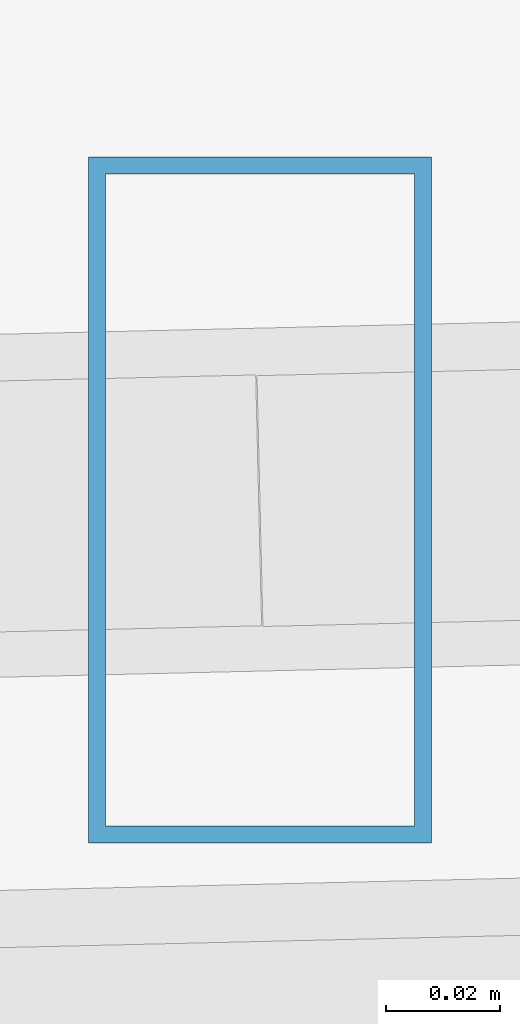
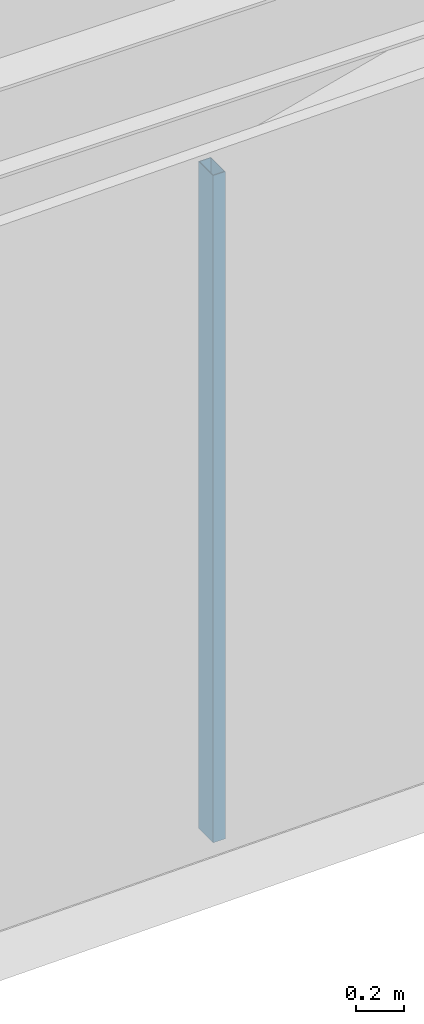
# One storey, part 13 of 46: 1 member, 1 element without a shape of its own.
"""IFC4 building model written with IfcOpenShell, lengths in metres."""

import ifcopenshell
import ifcopenshell.guid

model = None  # the IFC model being written
_history = None  # IfcOwnerHistory: only IFC2X3 demands one
_inside = {}  # id of a spatial element -> (the spatial element, [elements in it])
_under = {}  # id of a project, library or spatial element -> (it, [spatial elements below it])
_declared = {}  # id of a project -> (the project, [libraries it declares])
_typed = {}  # id of a type object -> (the type object, [elements of that type])
_made_of = {}  # id of a material, layer set ... -> (it, [elements and type objects made of it])


def new_model(schema):
    """Start an empty IFC model of exactly this schema.

    Asked for "IFC4X3", IfcOpenShell would pick the latest addendum, in which some entities
    have other attributes; the version numbers below select the first issue.
    IFC2X3 requires an IfcOwnerHistory on every rooted entity: one is made here for all.
    """
    global model, _history
    if schema == "IFC4X3":
        model = ifcopenshell.file(schema_version=(4, 3, 0, 0))
    else:
        model = ifcopenshell.file(schema=schema)
    _inside.clear()
    _under.clear()
    _declared.clear()
    _typed.clear()
    _made_of.clear()
    _history = None
    if model.schema == "IFC2X3":
        org = make("IfcOrganization", Name="unknown")
        user = make(
            "IfcPersonAndOrganization",
            ThePerson=make("IfcPerson", FamilyName="unknown"),
            TheOrganization=org,
        )
        app = make(
            "IfcApplication",
            ApplicationDeveloper=org,
            Version="unknown",
            ApplicationFullName="unknown",
            ApplicationIdentifier="unknown",
        )
        _history = make(
            "IfcOwnerHistory",
            OwningUser=user,
            OwningApplication=app,
            ChangeAction="ADDED",
            CreationDate=0,
        )
    return model


def make(cls, **values):
    """One entity of the class cls with the attributes given. An attribute that is None is left unset."""
    return model.create_entity(
        cls, **{name: value for name, value in values.items() if value is not None}
    )


def rooted(cls, **values):
    """An entity with a GlobalId (a new one), such as an element, a storey or a relation."""
    return make(cls, GlobalId=ifcopenshell.guid.new(), OwnerHistory=_history, **values)


def si_unit(unit_type, name, prefix=None):
    """IfcSIUnit, for example si_unit("LENGTHUNIT", "METRE", prefix="MILLI")."""
    return make("IfcSIUnit", UnitType=unit_type, Prefix=prefix, Name=name)


def assignment(units):
    """IfcUnitAssignment: the units of a project."""
    return None if units is None else make("IfcUnitAssignment", Units=units)


def point(xyz):
    """IfcCartesianPoint."""
    return None if xyz is None else make("IfcCartesianPoint", Coordinates=xyz)


def direction(xyz):
    """IfcDirection."""
    return None if xyz is None else make("IfcDirection", DirectionRatios=xyz)


def frame(location, z_axis=None, x_axis=None):
    """IfcAxis2Placement3D, a coordinate frame: its origin and axes. An axis left out is left unset."""
    return make(
        "IfcAxis2Placement3D",
        Location=point(location),
        Axis=direction(z_axis),
        RefDirection=direction(x_axis),
    )


def frame_2d(location, x_axis=None):
    """IfcAxis2Placement2D, a coordinate frame in the plane: its origin and x axis."""
    return make(
        "IfcAxis2Placement2D", Location=point(location), RefDirection=direction(x_axis)
    )


def origin():
    """The frame at (0, 0, 0) with its axes left unset."""
    return frame((0.0, 0.0, 0.0))


def origin_2d():
    """The frame at (0, 0) in the plane with its x axis left unset."""
    return frame_2d((0.0, 0.0))


def place(relative_to, where):
    """IfcLocalPlacement: puts the frame where relative to a parent placement (None: the world)."""
    return make(
        "IfcLocalPlacement", PlacementRelTo=relative_to, RelativePlacement=where
    )


def context(
    kind, dimensions, precision=None, world=None, true_north=None, identifier=None
):
    """IfcGeometricRepresentationContext, for example the 3D "Model" context."""
    return make(
        "IfcGeometricRepresentationContext",
        ContextIdentifier=identifier,
        ContextType=kind,
        CoordinateSpaceDimension=dimensions,
        Precision=precision,
        WorldCoordinateSystem=world,
        TrueNorth=true_north,
    )


def subcontext(parent, identifier, kind, view, scale=None):
    """IfcGeometricRepresentationSubContext, for example "Body" below "Model"."""
    return make(
        "IfcGeometricRepresentationSubContext",
        ContextIdentifier=identifier,
        ContextType=kind,
        ParentContext=parent,
        TargetScale=scale,
        TargetView=view,
    )


def project(units=None, contexts=None):
    """IfcProject with its units and contexts."""
    return rooted(
        "IfcProject",
        Name="project",
        RepresentationContexts=contexts,
        UnitsInContext=assignment(units),
    )


def spatial(cls, under=None, at=None, **own):
    """A site, building, storey or space (cls), placed at a placement, below another one or the project."""
    s = rooted(cls, ObjectPlacement=at, **own)
    if under is not None:
        _under.setdefault(under.id(), (under, []))[1].append(s)
    return s


def profile(cls, at=None, kind="AREA", **sizes):
    """A parametric profile (cls). Its sizes go by their IFC names, for example OverallWidth=200.0."""
    return make(cls, ProfileType=kind, Position=at, **sizes)


def hollow_rectangle(**sizes):
    """IfcRectangleHollowProfileDef."""
    return profile("IfcRectangleHollowProfileDef", **sizes)


def extrude(swept, where, along, depth):
    """IfcExtrudedAreaSolid: the profile swept, set in the frame where, extruded along a direction by depth."""
    return make(
        "IfcExtrudedAreaSolid",
        SweptArea=swept,
        Position=where,
        ExtrudedDirection=direction(along),
        Depth=depth,
    )


def shape(context_of_items, identifier, shape_type, items):
    """IfcShapeRepresentation: the items that make up one representation, for example the "Body"."""
    return make(
        "IfcShapeRepresentation",
        ContextOfItems=context_of_items,
        RepresentationIdentifier=identifier,
        RepresentationType=shape_type,
        Items=items,
    )


def source(mapping_origin, context_of_items, identifier, shape_type, items):
    """IfcRepresentationMap: a shape defined once, which mapped items show again and again."""
    return make(
        "IfcRepresentationMap",
        MappingOrigin=mapping_origin,
        MappedRepresentation=shape(context_of_items, identifier, shape_type, items),
    )


def transform(
    local_origin,
    x_axis=None,
    y_axis=None,
    z_axis=None,
    scale=None,
    scale2=None,
    scale3=None,
    uniform=True,
):
    """IfcCartesianTransformationOperator3D, or its non-uniform kind. x_axis, y_axis, z_axis: its Axis1, 2, 3."""
    if uniform:
        return make(
            "IfcCartesianTransformationOperator3D",
            Axis1=direction(x_axis),
            Axis2=direction(y_axis),
            LocalOrigin=point(local_origin),
            Scale=scale,
            Axis3=direction(z_axis),
        )
    return make(
        "IfcCartesianTransformationOperator3DnonUniform",
        Axis1=direction(x_axis),
        Axis2=direction(y_axis),
        LocalOrigin=point(local_origin),
        Scale=scale,
        Axis3=direction(z_axis),
        Scale2=scale2,
        Scale3=scale3,
    )


def mapped(mapping_source, mapping_target):
    """IfcMappedItem: shows the shape of a source again, moved by a transform."""
    return make(
        "IfcMappedItem", MappingSource=mapping_source, MappingTarget=mapping_target
    )


def material(Name=None, Category=None):
    """IfcMaterial."""
    return make("IfcMaterial", Name=Name, Category=Category)


def material_profile(
    of_material, cross_section, Name=None, Category=None, Priority=None
):
    """IfcMaterialProfile: a cross section and its material."""
    return make(
        "IfcMaterialProfile",
        Name=Name,
        Material=of_material,
        Profile=cross_section,
        Priority=Priority,
        Category=Category,
    )


def profile_set(profiles, Name=None, composite=None):
    """IfcMaterialProfileSet."""
    return make(
        "IfcMaterialProfileSet",
        Name=Name,
        MaterialProfiles=profiles,
        CompositeProfile=composite,
    )


def made_of(thing, what):
    """Note that an element or type object is made of a material, layer set ...; save() writes the relation."""
    if what is not None:
        _made_of.setdefault(what.id(), (what, []))[1].append(thing)
    return thing


def type_object(cls, material=None, **own):
    """A type object (cls), such as IfcWallType, which elements share."""
    return made_of(rooted(cls, **own), material)


def type_shapes(of_type, sources):
    """Give a type object the sources (RepresentationMaps) that its elements show as mapped items."""
    of_type.RepresentationMaps = sources


def element(
    cls,
    number,
    at=None,
    inside=None,
    cuts=None,
    type_object=None,
    material=None,
    context=None,
    identifier="Body",
    shape_type=None,
    held_by="IfcProductDefinitionShape",
    body=None,
    shapes=None,
    **own,
):
    """One element of the class cls, such as IfcWall. Its Tag is "e" and its number.

    at: its placement. inside: the storey or other place that contains it. cuts: it is an
    opening in that element (IfcRelVoidsElement). A single representation is given by context,
    identifier, shape_type and body (its items); several are given by shapes. held_by: the class
    of the entity that holds the representations. save() writes the other relations.
    """
    e = rooted(cls, Tag="e%d" % number, ObjectPlacement=at, **own)
    if body is not None:
        shapes = [shape(context, identifier, shape_type, body)]
    if shapes is not None:
        e.Representation = make(held_by, Representations=shapes)
    if inside is not None:
        _inside.setdefault(inside.id(), (inside, []))[1].append(e)
    if cuts is not None:
        rooted(
            "IfcRelVoidsElement", RelatingBuildingElement=cuts, RelatedOpeningElement=e
        )
    if type_object is not None:
        _typed.setdefault(type_object.id(), (type_object, []))[1].append(e)
    return made_of(e, material)


def aggregate(whole, parts):
    """IfcRelAggregates: a whole, such as a stair, and the parts it consists of."""
    return rooted("IfcRelAggregates", RelatingObject=whole, RelatedObjects=parts)


def save(model, path):
    """Write the relations noted so far, then the file.

    IfcRelAggregates (storeys below a building ...), IfcRelContainedInSpatialStructure (elements
    in a storey), IfcRelDefinesByType, IfcRelAssociatesMaterial and IfcRelDeclares: one each for
    every whole, place, type object, material and project.
    """
    for whole, parts in _under.values():
        aggregate(whole, parts)
    for where, things in _inside.values():
        rooted(
            "IfcRelContainedInSpatialStructure",
            RelatedElements=things,
            RelatingStructure=where,
        )
    for kind, things in _typed.values():
        rooted("IfcRelDefinesByType", RelatedObjects=things, RelatingType=kind)
    for what, things in _made_of.values():
        rooted("IfcRelAssociatesMaterial", RelatedObjects=things, RelatingMaterial=what)
    for by, libraries in _declared.values():
        rooted("IfcRelDeclares", RelatingContext=by, RelatedDefinitions=libraries)
    model.write(path)


model = new_model("IFC4")

# Units and contexts
model_context = context("Model", 3, precision=1e-05, world=origin(), true_north=direction((0.0, 1.0)))
body_context = subcontext(model_context, "Body", "Model", "MODEL_VIEW")
ifc_project = project(units=[si_unit("LENGTHUNIT", "METRE"), si_unit("AREAUNIT", "SQUARE_METRE"), si_unit("VOLUMEUNIT", "CUBIC_METRE"), si_unit("PLANEANGLEUNIT", "RADIAN"), si_unit("MASSUNIT", "GRAM", prefix="KILO")], contexts=[model_context])

# Site, building, storey
site_placement = place(None, origin())
site = spatial("IfcSite", under=ifc_project, at=site_placement, CompositionType="ELEMENT")
building_placement = place(site_placement, origin())
building = spatial("IfcBuilding", under=site, at=building_placement, Name="Caelisora Broadcast Tower", CompositionType="ELEMENT")
storey_placement = place(building_placement, frame((0.0, 0.0, 251.75)))
storey = spatial("IfcBuildingStorey", under=building, at=storey_placement, Name="L66", CompositionType="ELEMENT", Elevation=251.75)

# Curtain wall, member
ifc_material_1 = material(Name="Unitised Aluminium Insulated Shadow-Box Spandrel Curtain Wall", Category="aluminium")
curtain_wall_type = type_object("IfcCurtainWallType", Name="CW-SP3", PredefinedType="NOTDEFINED", material=ifc_material_1)
curtain_wall_placement = place(storey_placement, origin())
curtain_wall = element("IfcCurtainWall", 1, at=curtain_wall_placement, inside=storey, type_object=curtain_wall_type, Name="L66 curtain wall CW-SP3", PredefinedType="NOTDEFINED")
ifc_material_2 = material(Name="Aluminium 6063-T6 Anodised Terracotta Bronze", Category="aluminium")
ifc_material_profile = material_profile(ifc_material_2, hollow_rectangle(XDim=0.06005859375, YDim=0.1201171875, WallThickness=0.0029296875, at=origin_2d()), Name="Aluminium 6063-T6 Anodised Terracotta Bronze")
ifc_profile_set = profile_set([ifc_material_profile], Name="Aluminium 6063-T6 Anodised Terracotta Bronze")
member_type = type_object("IfcMemberType", Name="CWM-04", PredefinedType="MULLION", material=ifc_profile_set)
shared_shape = source(origin(), body_context, "Body", "SweptSolid", [
    extrude(hollow_rectangle(XDim=0.06005859375, YDim=0.1201171875, WallThickness=0.0029296875, at=origin_2d()), origin(), (0.0, 0.0, 1.0), 3.39990234375),
])
type_shapes(member_type, [shared_shape])
member_placement = place(storey_placement, frame((40.207275390625, 8.28271484375, 0.0), z_axis=(0.0, 0.0, 1.0), x_axis=(1.0, 0.0, 0.0)))
member = element("IfcMember", 2, at=member_placement, type_object=member_type, Name="L66-CW-B06 mullion #1", PredefinedType="MULLION", context=body_context, shape_type="MappedRepresentation", body=[
    mapped(shared_shape, transform((0.0, 0.0, 0.0), scale=1.0)),
])
aggregate(curtain_wall, [member])

save(model, "model.ifc")
